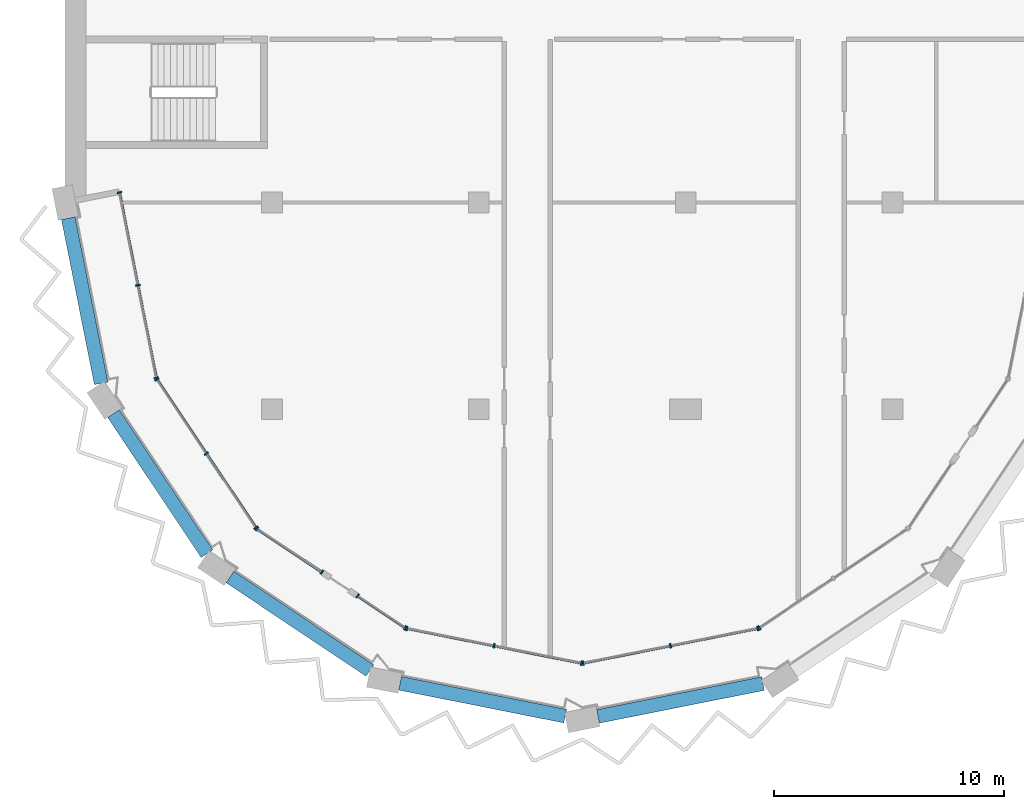
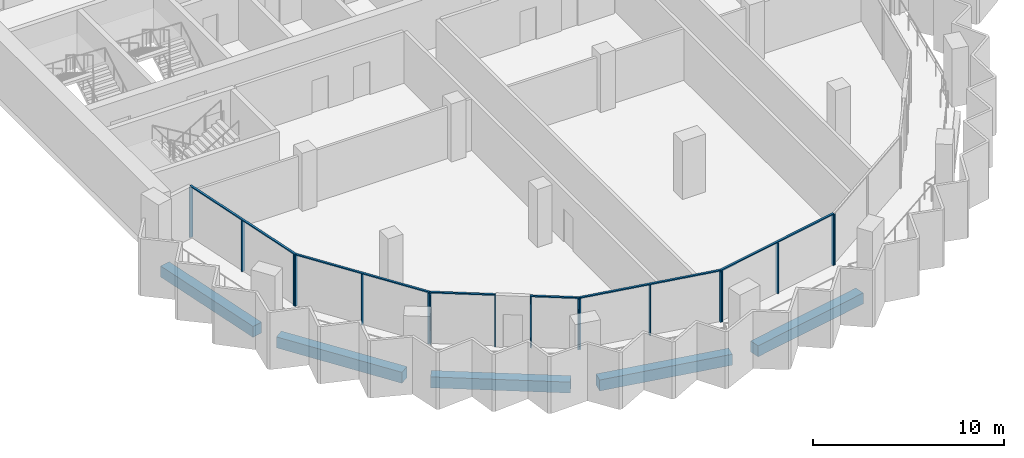
# One storey, part 2 of 14: 23 members, 5 beams, 7 elements without a shape of their own.
"""IFC4 building model written with IfcOpenShell, lengths in metres."""

from ifc_helpers import new_model, si_unit, direction, frame, origin, origin_2d, place, context, subcontext, project, spatial, rectangle, extrude, material, material_profile, profile_set, type_object, element, aggregate, save


model = new_model("IFC4")

# Units and contexts
model_context = context("Model", 3, precision=1e-05, world=origin(), true_north=direction((0.0, 1.0)))
body_context = subcontext(model_context, "Body", "Model", "MODEL_VIEW")
ifc_project = project(units=[si_unit("LENGTHUNIT", "METRE"), si_unit("AREAUNIT", "SQUARE_METRE"), si_unit("VOLUMEUNIT", "CUBIC_METRE"), si_unit("PLANEANGLEUNIT", "RADIAN"), si_unit("MASSUNIT", "GRAM", prefix="KILO")], contexts=[model_context])

# Site, building, storey
site_placement = place(None, origin())
site = spatial("IfcSite", under=ifc_project, at=site_placement, CompositionType="ELEMENT")
building_placement = place(site_placement, origin())
building = spatial("IfcBuilding", under=site, at=building_placement, Name="Hunhe Ridgeline Campus", CompositionType="ELEMENT")
storey_placement = place(building_placement, frame((0.0, 0.0, 295.60009765625)))
storey = spatial("IfcBuildingStorey", under=building, at=storey_placement, Name="L76", CompositionType="ELEMENT", Elevation=295.60009765625)

# Curtain wall, members
ifc_material_1 = material(Name="Aluminium 6063", Category="aluminium")
curtain_wall_type = type_object("IfcCurtainWallType", Name="Curtain wall CW-5", PredefinedType="NOTDEFINED", material=ifc_material_1)
curtain_wall_1_placement = place(storey_placement, origin())
curtain_wall_1 = element("IfcCurtainWall", 1, at=curtain_wall_1_placement, inside=storey, type_object=curtain_wall_type, Name="Curtain wall 01", PredefinedType="NOTDEFINED")
ifc_material_profile_1 = material_profile(ifc_material_1, rectangle(XDim=0.199951171875, YDim=0.070068359375, at=origin_2d()))
ifc_profile_set_1 = profile_set([ifc_material_profile_1], Name="Aluminium 6063")
member_type_1 = type_object("IfcMemberType", Name="CW-5 aluminium mullion", PredefinedType="MULLION", material=ifc_profile_set_1)
member_1_placement = place(storey_placement, frame((2.361572265625, 54.434326171875, 0.0), z_axis=(0.0, 0.0, 1.0), x_axis=(0.980784280831, 0.195095347137, 0.0)))
member_1 = element("IfcMember", 2, at=member_1_placement, type_object=member_type_1, Name="CW-5 mullion 1", PredefinedType="MULLION", context=body_context, shape_type="SweptSolid", body=[
    extrude(rectangle(XDim=0.199951171875, YDim=0.070068359375, at=origin_2d()), origin(), (0.0, 0.0, 1.0), 3.22998046875),
])
member_2_placement = place(storey_placement, frame((3.16455078125, 50.3974609375, 0.0), z_axis=(0.0, 0.0, 1.0), x_axis=(0.980784280831, 0.195095347137, 0.0)))
member_2 = element("IfcMember", 3, at=member_2_placement, type_object=member_type_1, Name="CW-5 mullion 2", PredefinedType="MULLION", context=body_context, shape_type="SweptSolid", body=[
    extrude(rectangle(XDim=0.199951171875, YDim=0.070068359375, at=origin_2d()), origin(), (0.0, 0.0, 1.0), 3.22998046875),
])
member_3_placement = place(storey_placement, frame((3.967529296875, 46.36083984375, 0.0), z_axis=(0.0, 0.0, 1.0), x_axis=(0.980784280831, 0.195095347137, 0.0)))
member_3 = element("IfcMember", 4, at=member_3_placement, type_object=member_type_1, Name="CW-5 mullion 3", PredefinedType="MULLION", context=body_context, shape_type="SweptSolid", body=[
    extrude(rectangle(XDim=0.199951171875, YDim=0.070068359375, at=origin_2d()), origin(), (0.0, 0.0, 1.0), 3.22998046875),
])

curtain_wall_2_placement = place(storey_placement, origin())
curtain_wall_2 = element("IfcCurtainWall", 5, at=curtain_wall_2_placement, inside=storey, type_object=curtain_wall_type, Name="Curtain wall 02", PredefinedType="NOTDEFINED")
member_4_placement = place(storey_placement, frame((3.993896484375, 46.29736328125, 0.0), z_axis=(0.0, 0.0, 1.0), x_axis=(0.831469584522, 0.555570274596, 0.0)))
member_4 = element("IfcMember", 6, at=member_4_placement, type_object=member_type_1, Name="CW-5 mullion 1", PredefinedType="MULLION", context=body_context, shape_type="SweptSolid", body=[
    extrude(rectangle(XDim=0.199951171875, YDim=0.070068359375, at=origin_2d()), origin(), (0.0, 0.0, 1.0), 3.22998046875),
])
member_5_placement = place(storey_placement, frame((6.147705078125, 43.07373046875, 0.0), z_axis=(0.0, 0.0, 1.0), x_axis=(0.831469584522, 0.555570274596, 0.0)))
member_5 = element("IfcMember", 7, at=member_5_placement, type_object=member_type_1, Name="CW-5 mullion 2", PredefinedType="MULLION", context=body_context, shape_type="SweptSolid", body=[
    extrude(rectangle(XDim=0.199951171875, YDim=0.070068359375, at=origin_2d()), origin(), (0.0, 0.0, 1.0), 3.22998046875),
])
member_6_placement = place(storey_placement, frame((8.3017578125, 39.850341796875, 0.0), z_axis=(0.0, 0.0, 1.0), x_axis=(0.831469584522, 0.555570274596, 0.0)))
member_6 = element("IfcMember", 8, at=member_6_placement, type_object=member_type_1, Name="CW-5 mullion 3", PredefinedType="MULLION", context=body_context, shape_type="SweptSolid", body=[
    extrude(rectangle(XDim=0.199951171875, YDim=0.070068359375, at=origin_2d()), origin(), (0.0, 0.0, 1.0), 3.22998046875),
])

curtain_wall_3_placement = place(storey_placement, origin())
curtain_wall_3 = element("IfcCurtainWall", 9, at=curtain_wall_3_placement, inside=storey, type_object=curtain_wall_type, Name="Curtain wall 03", PredefinedType="NOTDEFINED")
member_7_placement = place(storey_placement, frame((8.350341796875, 39.8017578125, 0.0), z_axis=(0.0, 0.0, 1.0), x_axis=(0.555570257501, 0.831469595944, 0.0)))
member_7 = element("IfcMember", 10, at=member_7_placement, type_object=member_type_1, Name="CW-5 mullion 1", PredefinedType="MULLION", context=body_context, shape_type="SweptSolid", body=[
    extrude(rectangle(XDim=0.199951171875, YDim=0.070068359375, at=origin_2d()), origin(), (0.0, 0.0, 1.0), 3.22998046875),
])
member_8_placement = place(storey_placement, frame((11.17041015625, 37.917236328125, 0.0), z_axis=(0.0, 0.0, 1.0), x_axis=(0.555570257501, 0.831469595944, 0.0)))
member_8 = element("IfcMember", 11, at=member_8_placement, type_object=member_type_1, Name="CW-5 mullion 2", PredefinedType="MULLION", context=body_context, shape_type="SweptSolid", body=[
    extrude(rectangle(XDim=0.199951171875, YDim=0.070068359375, at=origin_2d()), origin(), (0.0, 0.0, 1.0), 3.22998046875),
])

curtain_wall_4_placement = place(storey_placement, origin())
curtain_wall_4 = element("IfcCurtainWall", 12, at=curtain_wall_4_placement, inside=storey, type_object=curtain_wall_type, Name="Curtain wall 04", PredefinedType="NOTDEFINED")
member_9_placement = place(storey_placement, frame((12.725341796875, 36.87841796875, 0.0), z_axis=(0.0, 0.0, 1.0), x_axis=(0.555570385598, 0.831469510353, 0.0)))
member_9 = element("IfcMember", 13, at=member_9_placement, type_object=member_type_1, Name="CW-5 mullion 1", PredefinedType="MULLION", context=body_context, shape_type="SweptSolid", body=[
    extrude(rectangle(XDim=0.199951171875, YDim=0.070068359375, at=origin_2d()), origin(), (0.0, 0.0, 1.0), 3.22998046875),
])
member_10_placement = place(storey_placement, frame((14.79736328125, 35.493896484375, 0.0), z_axis=(0.0, 0.0, 1.0), x_axis=(0.555570385598, 0.831469510353, 0.0)))
member_10 = element("IfcMember", 14, at=member_10_placement, type_object=member_type_1, Name="CW-5 mullion 2", PredefinedType="MULLION", context=body_context, shape_type="SweptSolid", body=[
    extrude(rectangle(XDim=0.199951171875, YDim=0.070068359375, at=origin_2d()), origin(), (0.0, 0.0, 1.0), 3.22998046875),
])

curtain_wall_5_placement = place(storey_placement, origin())
curtain_wall_5 = element("IfcCurtainWall", 15, at=curtain_wall_5_placement, inside=storey, type_object=curtain_wall_type, Name="Curtain wall 05", PredefinedType="NOTDEFINED")
member_11_placement = place(storey_placement, frame((14.86083984375, 35.467529296875, 0.0), z_axis=(0.0, 0.0, 1.0), x_axis=(0.195090347539, 0.980785275326, 0.0)))
member_11 = element("IfcMember", 16, at=member_11_placement, type_object=member_type_1, Name="CW-5 mullion 1", PredefinedType="MULLION", context=body_context, shape_type="SweptSolid", body=[
    extrude(rectangle(XDim=0.199951171875, YDim=0.070068359375, at=origin_2d()), origin(), (0.0, 0.0, 1.0), 3.22998046875),
])
member_12_placement = place(storey_placement, frame((18.663330078125, 34.711181640625, 0.0), z_axis=(0.0, 0.0, 1.0), x_axis=(0.195090347539, 0.980785275326, 0.0)))
member_12 = element("IfcMember", 17, at=member_12_placement, type_object=member_type_1, Name="CW-5 mullion 2", PredefinedType="MULLION", context=body_context, shape_type="SweptSolid", body=[
    extrude(rectangle(XDim=0.199951171875, YDim=0.070068359375, at=origin_2d()), origin(), (0.0, 0.0, 1.0), 3.22998046875),
])
member_13_placement = place(storey_placement, frame((22.465576171875, 33.954833984375, 0.0), z_axis=(0.0, 0.0, 1.0), x_axis=(0.195090347539, 0.980785275326, 0.0)))
member_13 = element("IfcMember", 18, at=member_13_placement, type_object=member_type_1, Name="CW-5 mullion 3", PredefinedType="MULLION", context=body_context, shape_type="SweptSolid", body=[
    extrude(rectangle(XDim=0.199951171875, YDim=0.070068359375, at=origin_2d()), origin(), (0.0, 0.0, 1.0), 3.22998046875),
])

curtain_wall_6_placement = place(storey_placement, origin())
curtain_wall_6 = element("IfcCurtainWall", 19, at=curtain_wall_6_placement, inside=storey, type_object=curtain_wall_type, Name="Curtain wall 06", PredefinedType="NOTDEFINED")
member_14_placement = place(storey_placement, frame((22.534423828125, 33.954833984375, 0.0), z_axis=(0.0, 0.0, 1.0), x_axis=(-0.195090347539, 0.980785275326, 0.0)))
member_14 = element("IfcMember", 20, at=member_14_placement, type_object=member_type_1, Name="CW-5 mullion 1", PredefinedType="MULLION", context=body_context, shape_type="SweptSolid", body=[
    extrude(rectangle(XDim=0.199951171875, YDim=0.070068359375, at=origin_2d()), origin(), (0.0, 0.0, 1.0), 3.22998046875),
])
member_15_placement = place(storey_placement, frame((26.336669921875, 34.711181640625, 0.0), z_axis=(0.0, 0.0, 1.0), x_axis=(-0.195090347539, 0.980785275326, 0.0)))
member_15 = element("IfcMember", 21, at=member_15_placement, type_object=member_type_1, Name="CW-5 mullion 2", PredefinedType="MULLION", context=body_context, shape_type="SweptSolid", body=[
    extrude(rectangle(XDim=0.199951171875, YDim=0.070068359375, at=origin_2d()), origin(), (0.0, 0.0, 1.0), 3.22998046875),
])
member_16_placement = place(storey_placement, frame((30.13916015625, 35.467529296875, 0.0), z_axis=(0.0, 0.0, 1.0), x_axis=(-0.195090347539, 0.980785275326, 0.0)))
member_16 = element("IfcMember", 22, at=member_16_placement, type_object=member_type_1, Name="CW-5 mullion 3", PredefinedType="MULLION", context=body_context, shape_type="SweptSolid", body=[
    extrude(rectangle(XDim=0.199951171875, YDim=0.070068359375, at=origin_2d()), origin(), (0.0, 0.0, 1.0), 3.22998046875),
])

# Curtain wall, member
curtain_wall_7_placement = place(storey_placement, origin())
curtain_wall_7 = element("IfcCurtainWall", 23, at=curtain_wall_7_placement, inside=storey, type_object=curtain_wall_type, Name="Curtain wall 07", PredefinedType="NOTDEFINED")
member_17_placement = place(storey_placement, frame((30.20263671875, 35.493896484375, 0.0), z_axis=(0.0, 0.0, 1.0), x_axis=(-0.555570274596, 0.831469584522, 0.0)))
member_17 = element("IfcMember", 24, at=member_17_placement, type_object=member_type_1, Name="CW-5 mullion 1", PredefinedType="MULLION", context=body_context, shape_type="SweptSolid", body=[
    extrude(rectangle(XDim=0.199951171875, YDim=0.070068359375, at=origin_2d()), origin(), (0.0, 0.0, 1.0), 3.22998046875),
])
aggregate(curtain_wall_7, [member_17])

# Member
ifc_material_profile_2 = material_profile(ifc_material_1, rectangle(XDim=0.1201171875, YDim=0.070068359375, at=origin_2d()))
ifc_profile_set_2 = profile_set([ifc_material_profile_2], Name="Aluminium 6063")
member_type_2 = type_object("IfcMemberType", Name="CW-5 aluminium transom", PredefinedType="USERDEFINED", material=ifc_profile_set_2)
member_18_placement = place(storey_placement, frame((2.354736328125, 54.46875, 3.264892578125), z_axis=(0.195092405068, -0.980784866056, 0.0), x_axis=(0.980784866056, 0.195092405068, 0.0)))
member_18 = element("IfcMember", 25, at=member_18_placement, type_object=member_type_2, Name="CW-5 transom 1", ObjectType="TRANSOM", PredefinedType="USERDEFINED", context=body_context, shape_type="SweptSolid", body=[
    extrude(rectangle(XDim=0.1201171875, YDim=0.070068359375, at=origin_2d()), origin(), (0.0, 0.0, 1.0), 8.3017578125),
])

aggregate(curtain_wall_1, [member_18, member_1, member_2, member_3])

member_19_placement = place(storey_placement, frame((3.974365234375, 46.326416015625, 3.264892578125), z_axis=(0.5555640203, -0.831473763475, 0.0), x_axis=(0.831473763475, 0.5555640203, 0.0)))
member_19 = element("IfcMember", 26, at=member_19_placement, type_object=member_type_2, Name="CW-5 transom 1", ObjectType="TRANSOM", PredefinedType="USERDEFINED", context=body_context, shape_type="SweptSolid", body=[
    extrude(rectangle(XDim=0.1201171875, YDim=0.070068359375, at=origin_2d()), origin(), (0.0, 0.0, 1.0), 7.823974609375),
])

aggregate(curtain_wall_2, [member_19, member_4, member_5, member_6])

member_20_placement = place(storey_placement, frame((8.321044921875, 39.821044921875, 3.264892578125), z_axis=(0.831485714606, -0.555546133463, 0.0), x_axis=(0.555546133463, 0.831485714606, 0.0)))
member_20 = element("IfcMember", 27, at=member_20_placement, type_object=member_type_2, Name="CW-5 transom 1", ObjectType="TRANSOM", PredefinedType="USERDEFINED", context=body_context, shape_type="SweptSolid", body=[
    extrude(rectangle(XDim=0.1201171875, YDim=0.070068359375, at=origin_2d()), origin(), (0.0, 0.0, 1.0), 3.462158203125),
])

aggregate(curtain_wall_3, [member_20, member_7, member_8])

member_21_placement = place(storey_placement, frame((12.6962890625, 36.897705078125, 3.264892578125), z_axis=(0.831463388334, -0.555579547735, 0.0), x_axis=(0.555579547735, 0.831463388334, 0.0)))
member_21 = element("IfcMember", 28, at=member_21_placement, type_object=member_type_2, Name="CW-5 transom 1", ObjectType="TRANSOM", PredefinedType="USERDEFINED", context=body_context, shape_type="SweptSolid", body=[
    extrude(rectangle(XDim=0.1201171875, YDim=0.070068359375, at=origin_2d()), origin(), (0.0, 0.0, 1.0), 2.56201171875),
])

aggregate(curtain_wall_4, [member_21, member_9, member_10])

member_22_placement = place(storey_placement, frame((14.826416015625, 35.474365234375, 3.264892578125), z_axis=(0.980785367689, -0.195089883198, 0.0), x_axis=(0.195089883198, 0.980785367689, 0.0)))
member_22 = element("IfcMember", 29, at=member_22_placement, type_object=member_type_2, Name="CW-5 transom 1", ObjectType="TRANSOM", PredefinedType="USERDEFINED", context=body_context, shape_type="SweptSolid", body=[
    extrude(rectangle(XDim=0.1201171875, YDim=0.070068359375, at=origin_2d()), origin(), (0.0, 0.0, 1.0), 7.823974609375),
])

aggregate(curtain_wall_5, [member_22, member_11, member_12, member_13])

member_23_placement = place(storey_placement, frame((22.5, 33.947998046875, 3.264892578125), z_axis=(0.980785367689, 0.195089883198, 0.0), x_axis=(-0.195089883198, 0.980785367689, 0.0)))
member_23 = element("IfcMember", 30, at=member_23_placement, type_object=member_type_2, Name="CW-5 transom 1", ObjectType="TRANSOM", PredefinedType="USERDEFINED", context=body_context, shape_type="SweptSolid", body=[
    extrude(rectangle(XDim=0.1201171875, YDim=0.070068359375, at=origin_2d()), origin(), (0.0, 0.0, 1.0), 7.823974609375),
])

aggregate(curtain_wall_6, [member_23, member_14, member_15, member_16])

# Beams
ifc_material_2 = material(Name="Concrete C50", Category="concrete")
ifc_material_profile_3 = material_profile(ifc_material_2, rectangle(XDim=0.60009765625, YDim=0.699951171875, at=origin_2d()))
ifc_profile_set_3 = profile_set([ifc_material_profile_3], Name="Concrete C50")
beam_type = type_object("IfcBeamType", Name="RC spandrel beam 600x700 Concrete C50", PredefinedType="SPANDREL", material=ifc_profile_set_3)
beam_1_placement = place(storey_placement, frame((0.136474609375, 53.3134765625, -0.60009765625), z_axis=(0.195109229868, -0.980781519208, 0.0), x_axis=(0.980781519208, 0.195109229868, 0.0)))
element("IfcBeam", 31, at=beam_1_placement, inside=storey, type_object=beam_type, Name="Spandrel beam B4-1 L76", PredefinedType="SPANDREL", context=body_context, shape_type="SweptSolid", body=[
    extrude(rectangle(XDim=0.60009765625, YDim=0.699951171875, at=origin_2d()), origin(), (0.0, 0.0, 1.0), 7.3212890625),
])
beam_2_placement = place(storey_placement, frame((2.1015625, 44.8076171875, -0.60009765625), z_axis=(0.555569441455, -0.831470141209, 0.0), x_axis=(0.831470141209, 0.555569441455, 0.0)))
element("IfcBeam", 32, at=beam_2_placement, inside=storey, type_object=beam_type, Name="Spandrel beam B4-2 L76", PredefinedType="SPANDREL", context=body_context, shape_type="SweptSolid", body=[
    extrude(rectangle(XDim=0.60009765625, YDim=0.699951171875, at=origin_2d()), origin(), (0.0, 0.0, 1.0), 7.321533203125),
])
for number, where, z_axis, x_axis, name in (
    (33, (7.172119140625, 37.701171875, -0.60009765625), (0.831459848444, -0.555584845389, 0.0), (0.555584845389, 0.831459848444, 0.0), "Spandrel beam B4-3 L76"),
    (34, (14.576171875, 33.076171875, -0.60009765625), (0.980781519208, -0.195109229868, 0.0), (0.195109229868, 0.980781519208, 0.0), "Spandrel beam B4-4 L76"),
    (35, (23.1865234375, 31.636474609375, -0.60009765625), (0.980781519208, 0.195109229868, 0.0), (-0.195109229868, 0.980781519208, 0.0), "Spandrel beam B4-5 L76"),
):
    element("IfcBeam", number, at=place(storey_placement, frame(where, z_axis=z_axis, x_axis=x_axis)), inside=storey, type_object=beam_type, Name=name, PredefinedType="SPANDREL", context=body_context, shape_type="SweptSolid", body=[
        extrude(rectangle(XDim=0.60009765625, YDim=0.699951171875, at=origin_2d()), origin(), (0.0, 0.0, 1.0), 7.3212890625),
    ])

save(model, "model.ifc")
